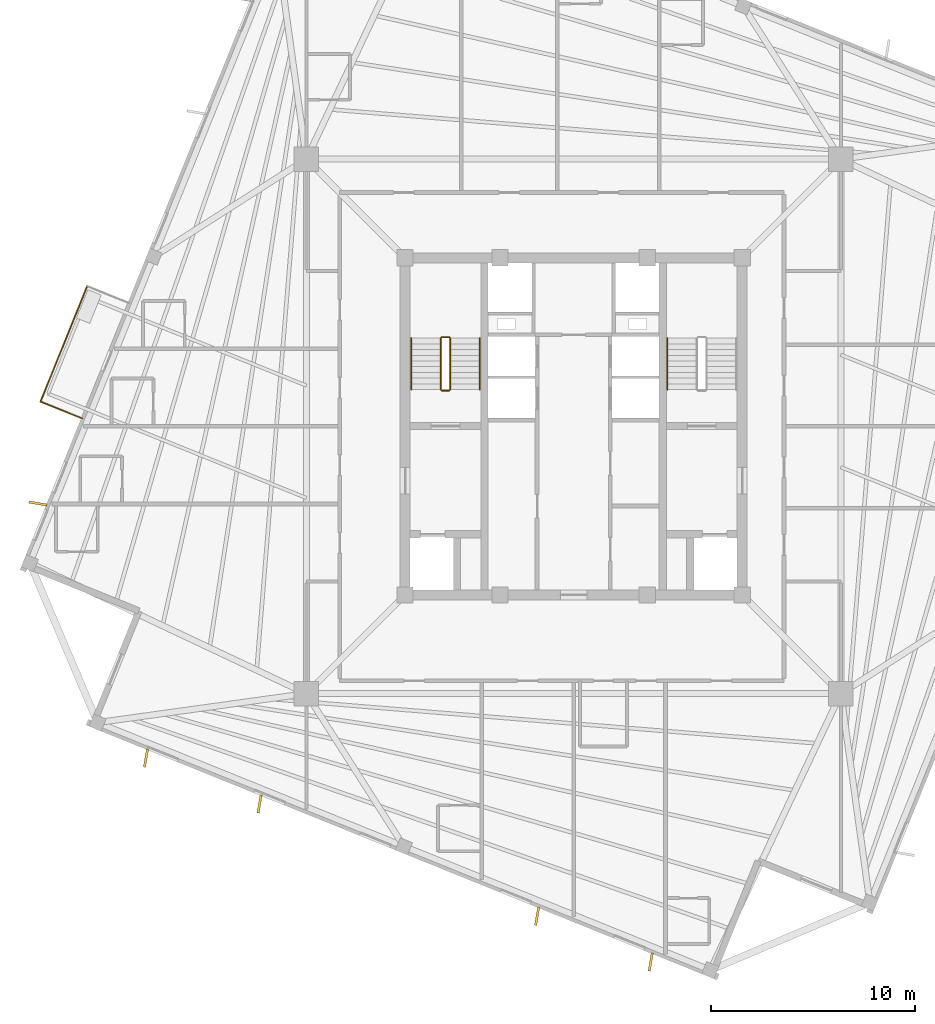
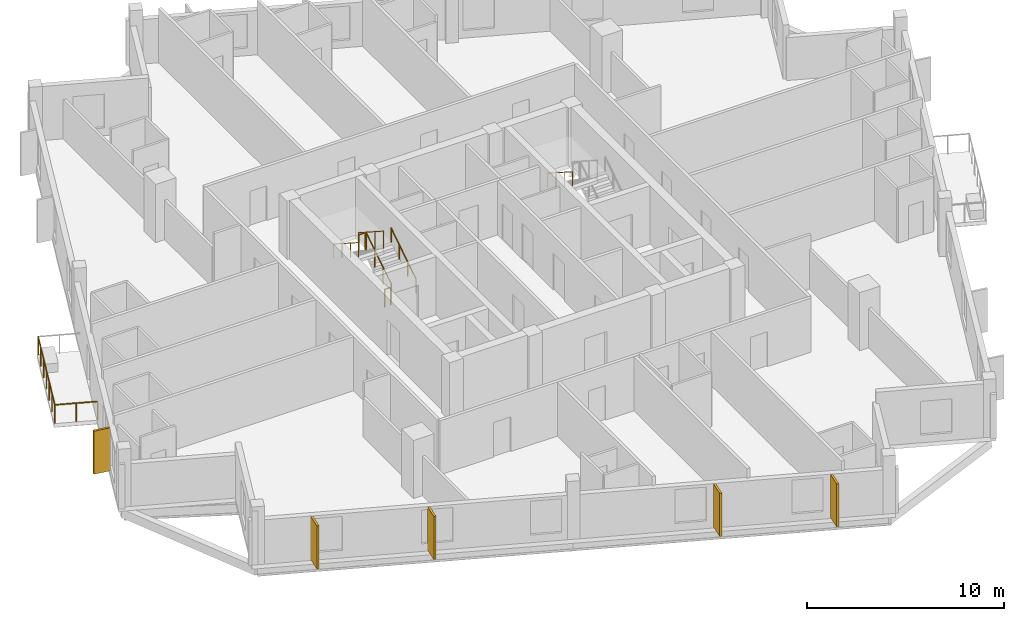
# One storey, part 7 of 9: 9 railings, 5 coverings.
"""IFC4 building model written with IfcOpenShell, lengths in metres."""

from ifc_helpers import new_model, si_unit, direction, frame, origin, origin_2d, place, context, subcontext, project, spatial, rectangle, circle, extrude, source, transform, mapped, material, layer, layer_set, type_object, element, save


model = new_model("IFC4")

# Units and contexts
model_context = context("Model", 3, precision=1e-05, world=origin(), true_north=direction((0.0, 1.0)))
body_context = subcontext(model_context, "Body", "Model", "MODEL_VIEW")
ifc_project = project(units=[si_unit("LENGTHUNIT", "METRE"), si_unit("AREAUNIT", "SQUARE_METRE"), si_unit("VOLUMEUNIT", "CUBIC_METRE"), si_unit("PLANEANGLEUNIT", "RADIAN"), si_unit("MASSUNIT", "GRAM", prefix="KILO"), si_unit("THERMODYNAMICTEMPERATUREUNIT", "KELVIN")], contexts=[model_context])

# Site, building, storey
site_placement = place(None, origin())
site = spatial("IfcSite", under=ifc_project, at=site_placement, CompositionType="ELEMENT")
building_placement = place(site_placement, origin())
building = spatial("IfcBuilding", under=site, at=building_placement, Name="Kosmvard Interchange Tower", CompositionType="ELEMENT")
storey_placement = place(building_placement, frame((0.0, 0.0, 279.60009765625)))
storey = spatial("IfcBuildingStorey", under=building, at=storey_placement, Name="L68", CompositionType="ELEMENT", Elevation=279.60009765625)

# Railing
ifc_material_1 = material(Name="Steel S355", Category="steel")
railing_type_1 = type_object("IfcRailingType", Name="Observation & Balcony Glass-Infill Balustrade 1150", PredefinedType="BALUSTRADE", material=ifc_material_1)
shared_shape_1 = source(origin(), body_context, "Body", "SweptSolid", [
    extrude(circle(Radius=0.02392578125, at=origin_2d()), frame((0.0, 0.0, 1.1259765625), z_axis=(0.927208487558, -0.374545618852, 0.0), x_axis=(0.374545618852, 0.927208487558, 0.0)), (0.0, 0.0, 1.0), 2.199951171875),
    extrude(circle(Radius=0.02099609375, at=origin_2d()), origin(), (0.0, 0.0, 1.0), 1.101806640625),
    extrude(circle(Radius=0.02099609375, at=origin_2d()), frame((1.02001953125, -0.412109375, 0.0)), (0.0, 0.0, 1.0), 1.101806640625),
    extrude(circle(Radius=0.02099609375, at=origin_2d()), frame((2.039794921875, -0.823974609375, 0.0)), (0.0, 0.0, 1.0), 1.101806640625),
])
railing_1_placement = place(storey_placement, frame((-26.095458984375, 1.2138671875, 0.0)))
element("IfcRailing", 1, at=railing_1_placement, inside=storey, type_object=railing_type_1, Name="L68 Outdoor Terrace Guard BAL-L68-NE-C", PredefinedType="BALUSTRADE", context=body_context, shape_type="MappedRepresentation", body=[
    mapped(shared_shape_1, transform((0.0, 0.0, 0.0), scale=1.0)),
])

# Coverings
ifc_material_2 = material(Name="Architectural anodised aluminium", Category="aluminium")
ifc_layer = layer(ifc_material_2, 0.1201171875, Name="Architectural anodised aluminium")
ifc_layer_set = layer_set([ifc_layer], Name="Architectural anodised aluminium")
covering_type = type_object("IfcCoveringType", Name="Rotating Vertical Sun-Breaker Fin 900x120 Aluminium", PredefinedType="CLADDING", material=ifc_layer_set)
shared_shape_2 = source(origin(), body_context, "Body", "SweptSolid", [
    extrude(rectangle(XDim=0.89990234375, YDim=0.1201171875, at=origin_2d()), origin(), (0.0, 0.0, 1.0), 2.669921875),
])
for number, where, z_axis, x_axis, name in (
    (2, (-26.223876953125, -3.775390625, 0.0400390625), (0.0, 0.0, 1.0), (-0.985966915416, 0.166940832948, 0.0), "L68 Rotating Vertical Sun-Breaker Fin 10"),
    (3, (-20.932373046875, -16.2412109375, 0.0400390625), (0.0, 0.0, 1.0), (-0.166940832948, -0.985966915416, 0.0), "L68 Rotating Vertical Sun-Breaker Fin 11"),
    (4, (-15.373046875, -18.4873046875, 0.0400390625), (0.0, 0.0, 1.0), (-0.166940832948, -0.985966915416, 0.0), "L68 Rotating Vertical Sun-Breaker Fin 12"),
    (5, (-1.783935546875, -23.977783203125, 0.0400390625), (0.0, 0.0, 1.0), (-0.166940832948, -0.985966915416, 0.0), "L68 Rotating Vertical Sun-Breaker Fin 13"),
    (6, (3.775390625, -26.223876953125, 0.0400390625), (0.0, 0.0, 1.0), (-0.166940832948, -0.985966915416, 0.0), "L68 Rotating Vertical Sun-Breaker Fin 14"),
):
    element("IfcCovering", number, at=place(storey_placement, frame(where, z_axis=z_axis, x_axis=x_axis)), inside=storey, type_object=covering_type, Name=name, PredefinedType="CLADDING", context=body_context, shape_type="MappedRepresentation", body=[
        mapped(shared_shape_2, transform((0.0, 0.0, 0.0), scale=1.0)),
    ])

# Railings
shared_shape_3 = source(origin(), body_context, "Body", "SweptSolid", [
    extrude(circle(Radius=0.02392578125, at=origin_2d()), frame((0.0, 0.0, 1.1259765625), z_axis=(-0.374617894384, -0.927179288599, 0.0), x_axis=(0.927179288599, -0.374617894384, 0.0)), (0.0, 0.0, 1.0), 6.099853515625),
    extrude(circle(Radius=0.02099609375, at=origin_2d()), origin(), (0.0, 0.0, 1.0), 1.101806640625),
    extrude(circle(Radius=0.02099609375, at=origin_2d()), frame((-0.380859375, -0.942626953125, 0.0)), (0.0, 0.0, 1.0), 1.101806640625),
    extrude(circle(Radius=0.02099609375, at=origin_2d()), frame((-0.76171875, -1.88525390625, 0.0)), (0.0, 0.0, 1.0), 1.101806640625),
    extrude(circle(Radius=0.02099609375, at=origin_2d()), frame((-1.142578125, -2.827880859375, 0.0)), (0.0, 0.0, 1.0), 1.101806640625),
    extrude(circle(Radius=0.02099609375, at=origin_2d()), frame((-1.5234375, -3.7705078125, 0.0)), (0.0, 0.0, 1.0), 1.101806640625),
    extrude(circle(Radius=0.02099609375, at=origin_2d()), frame((-1.904296875, -4.713134765625, 0.0)), (0.0, 0.0, 1.0), 1.101806640625),
    extrude(circle(Radius=0.02099609375, at=origin_2d()), frame((-2.28515625, -5.65576171875, 0.0)), (0.0, 0.0, 1.0), 1.101806640625),
])
railing_2_placement = place(storey_placement, frame((-23.810302734375, 6.86962890625, 0.0)))
element("IfcRailing", 7, at=railing_2_placement, inside=storey, type_object=railing_type_1, Name="L68 Outdoor Terrace Guard BAL-L68-NE-B", PredefinedType="BALUSTRADE", context=body_context, shape_type="MappedRepresentation", body=[
    mapped(shared_shape_3, transform((0.0, 0.0, 0.0), scale=1.0)),
])
railing_type_2 = type_object("IfcRailingType", Name="Stair & Terrace Safety Guardrail 1100 Steel", PredefinedType="GUARDRAIL", material=ifc_material_1)
shared_shape_4 = source(origin(), body_context, "Body", "SweptSolid", [
    extrude(circle(Radius=0.02392578125, at=origin_2d()), frame((0.0, 0.0, 1.076171875), z_axis=(-1.0, 0.0, 0.0), x_axis=(0.0, -1.0, 0.0)), (0.0, 0.0, 1.0), 0.35986328125),
    extrude(circle(Radius=0.02099609375, at=origin_2d()), origin(), (0.0, 0.0, 1.0), 1.052001953125),
    extrude(circle(Radius=0.02099609375, at=origin_2d()), frame((-0.35986328125, 0.0, 0.0)), (0.0, 0.0, 1.0), 1.052001953125),
])
for number, where, name in (
    (8, (-6.090087890625, 4.3701171875, 1.7998046875), "L68 ST-1 stair guard 2"),
    (9, (-6.090087890625, 1.75, 0.0), "L68 ST-1 stair guard 4"),
):
    element("IfcRailing", number, at=place(storey_placement, frame(where)), inside=storey, type_object=railing_type_2, Name=name, PredefinedType="GUARDRAIL", context=body_context, shape_type="MappedRepresentation", body=[
        mapped(shared_shape_4, transform((0.0, 0.0, 0.0), scale=1.0)),
    ])
shared_shape_5 = source(origin(), body_context, "Body", "SweptSolid", [
    extrude(circle(Radius=0.02392578125, at=origin_2d()), frame((0.0, 0.0, 1.076171875), z_axis=(0.0, -0.841199657755, 0.540724639528), x_axis=(1.0, 0.0, 0.0)), (0.0, 0.0, 1.0), 2.995849609375),
    extrude(circle(Radius=0.02099609375, at=origin_2d()), origin(), (0.0, 0.0, 1.0), 1.052001953125),
    extrude(circle(Radius=0.02099609375, at=origin_2d()), frame((0.0, -0.840087890625, 0.5400390625)), (0.0, 0.0, 1.0), 1.052001953125),
    extrude(circle(Radius=0.02099609375, at=origin_2d()), frame((0.0, -1.679931640625, 1.079833984375)), (0.0, 0.0, 1.0), 1.052001953125),
    extrude(circle(Radius=0.02099609375, at=origin_2d()), frame((0.0, -2.52001953125, 1.619873046875)), (0.0, 0.0, 1.0), 1.052001953125),
])
railing_3_placement = place(storey_placement, frame((-6.5, 4.320068359375, 1.97998046875)))
element("IfcRailing", 10, at=railing_3_placement, inside=storey, type_object=railing_type_2, Name="L68 ST-1 stair guard 3", PredefinedType="GUARDRAIL", context=body_context, shape_type="MappedRepresentation", body=[
    mapped(shared_shape_5, transform((0.0, 0.0, 0.0), scale=1.0)),
])
railing_type_3 = type_object("IfcRailingType", Name="Wall-Mounted Stair Handrail 900 Steel", PredefinedType="HANDRAIL", material=ifc_material_1)
shared_shape_6 = source(origin(), body_context, "Body", "SweptSolid", [
    extrude(circle(Radius=0.02392578125, at=origin_2d()), frame((0.0, 0.0, 0.8759765625), z_axis=(0.0, -0.841199657755, 0.540724639528), x_axis=(1.0, 0.0, 0.0)), (0.0, 0.0, 1.0), 2.995849609375),
    extrude(circle(Radius=0.02099609375, at=origin_2d()), origin(), (0.0, 0.0, 1.0), 0.851806640625),
    extrude(circle(Radius=0.02099609375, at=origin_2d()), frame((0.0, -0.840087890625, 0.5400390625)), (0.0, 0.0, 1.0), 0.851806640625),
    extrude(circle(Radius=0.02099609375, at=origin_2d()), frame((0.0, -1.679931640625, 1.079833984375)), (0.0, 0.0, 1.0), 0.851806640625),
    extrude(circle(Radius=0.02099609375, at=origin_2d()), frame((0.0, -2.52001953125, 1.619873046875)), (0.0, 0.0, 1.0), 0.851806640625),
])
for number, where, name in (
    (11, (-7.949951171875, 4.320068359375, 1.97998046875), "L68 ST-1 stair handrail 2"),
    (12, (4.590087890625, 4.320068359375, 1.97998046875), "L68 ST-2 stair handrail 2"),
):
    element("IfcRailing", number, at=place(storey_placement, frame(where)), inside=storey, type_object=railing_type_3, Name=name, PredefinedType="HANDRAIL", context=body_context, shape_type="MappedRepresentation", body=[
        mapped(shared_shape_6, transform((0.0, 0.0, 0.0), scale=1.0)),
    ])
shared_shape_7 = source(origin(), body_context, "Body", "SweptSolid", [
    extrude(circle(Radius=0.02392578125, at=origin_2d()), frame((0.0, 0.0, 1.076171875), z_axis=(0.0, 0.841199657755, 0.540724639528), x_axis=(-1.0, 0.0, 0.0)), (0.0, 0.0, 1.0), 2.995849609375),
    extrude(circle(Radius=0.02099609375, at=origin_2d()), origin(), (0.0, 0.0, 1.0), 1.052001953125),
    extrude(circle(Radius=0.02099609375, at=origin_2d()), frame((0.0, 0.840087890625, 0.5400390625)), (0.0, 0.0, 1.0), 1.052001953125),
    extrude(circle(Radius=0.02099609375, at=origin_2d()), frame((0.0, 1.679931640625, 1.079833984375)), (0.0, 0.0, 1.0), 1.052001953125),
    extrude(circle(Radius=0.02099609375, at=origin_2d()), frame((0.0, 2.52001953125, 1.619873046875)), (0.0, 0.0, 1.0), 1.052001953125),
])
railing_4_placement = place(storey_placement, frame((-6.0400390625, 1.800048828125, 0.179931640625)))
element("IfcRailing", 13, at=railing_4_placement, inside=storey, type_object=railing_type_2, Name="L68 ST-1 stair guard 1", PredefinedType="GUARDRAIL", context=body_context, shape_type="MappedRepresentation", body=[
    mapped(shared_shape_7, transform((0.0, 0.0, 0.0), scale=1.0)),
])
shared_shape_8 = source(origin(), body_context, "Body", "SweptSolid", [
    extrude(circle(Radius=0.02392578125, at=origin_2d()), frame((0.0, 0.0, 0.8759765625), z_axis=(0.0, 0.841199657755, 0.540724639528), x_axis=(-1.0, 0.0, 0.0)), (0.0, 0.0, 1.0), 2.995849609375),
    extrude(circle(Radius=0.02099609375, at=origin_2d()), origin(), (0.0, 0.0, 1.0), 0.851806640625),
    extrude(circle(Radius=0.02099609375, at=origin_2d()), frame((0.0, 0.840087890625, 0.5400390625)), (0.0, 0.0, 1.0), 0.851806640625),
    extrude(circle(Radius=0.02099609375, at=origin_2d()), frame((0.0, 1.679931640625, 1.079833984375)), (0.0, 0.0, 1.0), 0.851806640625),
    extrude(circle(Radius=0.02099609375, at=origin_2d()), frame((0.0, 2.52001953125, 1.619873046875)), (0.0, 0.0, 1.0), 0.851806640625),
])
railing_5_placement = place(storey_placement, frame((-4.590087890625, 1.800048828125, 0.179931640625)))
element("IfcRailing", 14, at=railing_5_placement, inside=storey, type_object=railing_type_3, Name="L68 ST-1 stair handrail 1", PredefinedType="HANDRAIL", context=body_context, shape_type="MappedRepresentation", body=[
    mapped(shared_shape_8, transform((0.0, 0.0, 0.0), scale=1.0)),
])

save(model, "model.ifc")
